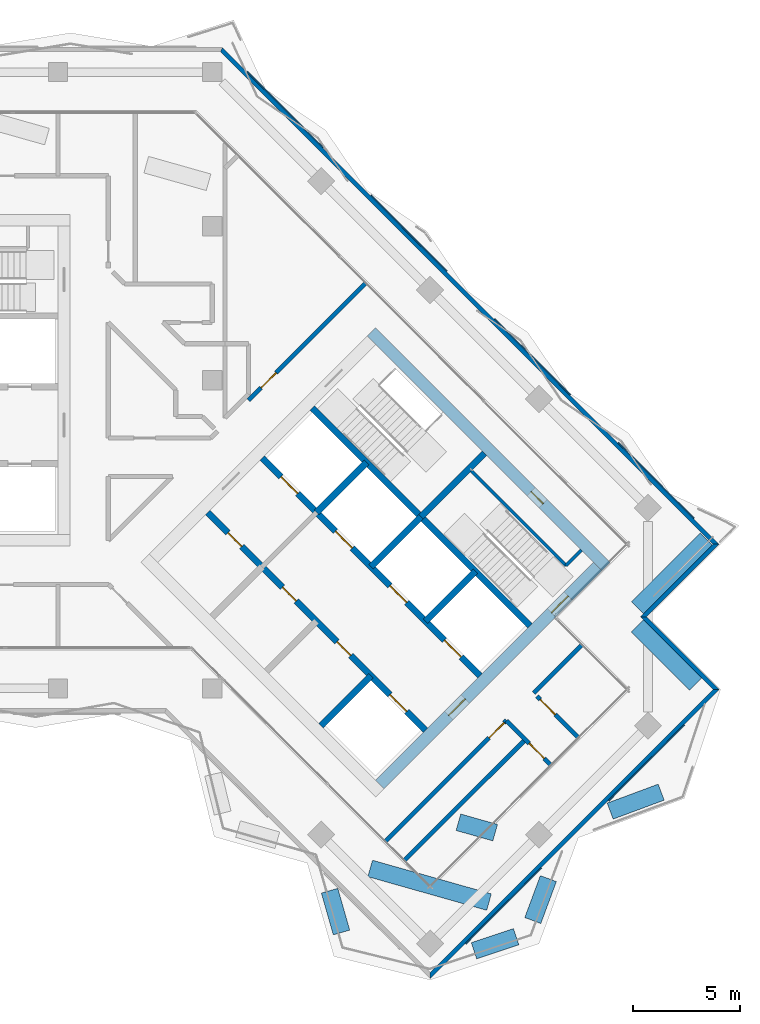
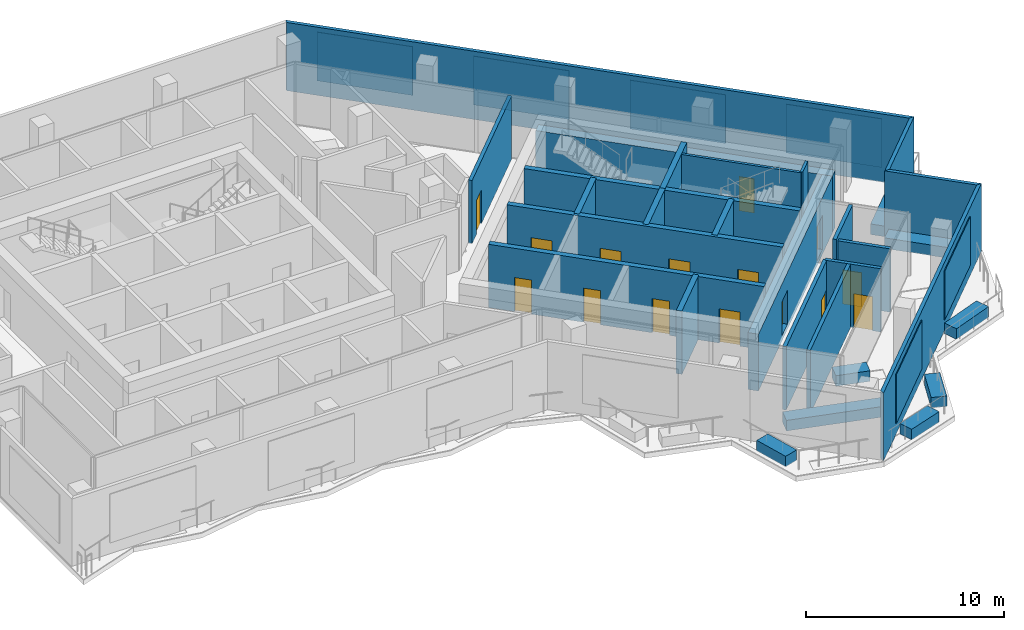
# One storey, part 12 of 19: 31 walls, 15 doors, 6 plates, 15 openings.
"""IFC4 building model written with IfcOpenShell, lengths in metres."""

from ifc_helpers import new_model, si_unit, direction, frame, frame_2d, origin, place, context, subcontext, project, spatial, polyline, rectangle, outline, extrude, material, layer, layer_set, type_object, element, fill, aggregate, save


model = new_model("IFC4")

# Units and contexts
model_context = context("Model", 3, precision=1e-05, world=origin(), true_north=direction((0.0, 1.0)))
body_context = subcontext(model_context, "Body", "Model", "MODEL_VIEW")
ifc_project = project(units=[si_unit("LENGTHUNIT", "METRE"), si_unit("AREAUNIT", "SQUARE_METRE"), si_unit("VOLUMEUNIT", "CUBIC_METRE"), si_unit("PLANEANGLEUNIT", "RADIAN"), si_unit("MASSUNIT", "GRAM", prefix="KILO")], contexts=[model_context])

# Plate
ifc_material_1 = material(Name="Aluminium louvre", Category="aluminium")
ifc_layer_1 = layer(ifc_material_1, 0.05)
ifc_layer_set_1 = layer_set([ifc_layer_1], Name="Belt louvre panel 5000x3000")
plate_type = type_object("IfcPlateType", Name="Belt louvre panel 5000x3000", PredefinedType="SHEET", material=ifc_layer_set_1)
site_placement = place(None, origin())
building_placement = place(site_placement, origin())
storey_placement = place(building_placement, frame((0.0, 0.0, 176.2)))
plate_1_placement = place(storey_placement, frame((101.7315, 51.1655, 0.75), z_axis=(0.7071167811, 0.7070967812, 0.0), x_axis=(-0.7070967812, 0.7071167811, 0.0)))
plate_1 = element("IfcPlate", 1, at=plate_1_placement, type_object=plate_type, Name="Belt louvre panel L48 5.1", PredefinedType="SHEET", context=body_context, shape_type="SweptSolid", body=[
    extrude(outline(polyline([(0.0, 0.0), (5.0, 0.0), (5.0, 3.0), (0.0, 3.0), (0.0, 0.0)])), origin(), (0.0, 0.0, -1.0), 0.05),
])

plate_2_placement = place(storey_placement, frame((95.9536, 56.9434, 0.75), z_axis=(0.7071167811, 0.7070967812, 0.0), x_axis=(-0.7070967812, 0.7071167811, 0.0)))
plate_2 = element("IfcPlate", 2, at=plate_2_placement, type_object=plate_type, Name="Belt louvre panel L48 6.2", PredefinedType="SHEET", context=body_context, shape_type="SweptSolid", body=[
    extrude(outline(polyline([(0.0, 0.0), (5.0, 0.0), (5.0, 3.0), (0.0, 3.0), (0.0, 0.0)])), origin(), (0.0, 0.0, -1.0), 0.05),
])

plate_3_placement = place(storey_placement, frame((90.1756, 62.7214, 0.75), z_axis=(0.7071067812, 0.7071067812, 0.0), x_axis=(-0.7071067812, 0.7071067812, 0.0)))
plate_3 = element("IfcPlate", 3, at=plate_3_placement, type_object=plate_type, Name="Belt louvre panel L48 7.3", PredefinedType="SHEET", context=body_context, shape_type="SweptSolid", body=[
    extrude(outline(polyline([(0.0, 0.0), (5.0, 0.0), (5.0, 3.0), (0.0, 3.0), (0.0, 0.0)])), origin(), (0.0, 0.0, -1.0), 0.05),
])

plate_4_placement = place(storey_placement, frame((84.3977, 68.4993, 0.75), z_axis=(0.7071167811, 0.7070967812, 0.0), x_axis=(-0.7070967812, 0.7071167811, 0.0)))
plate_4 = element("IfcPlate", 4, at=plate_4_placement, type_object=plate_type, Name="Belt louvre panel L48 8.4", PredefinedType="SHEET", context=body_context, shape_type="SweptSolid", body=[
    extrude(outline(polyline([(0.0, 0.0), (5.0, 0.0), (5.0, 3.0), (0.0, 3.0), (0.0, 0.0)])), origin(), (0.0, 0.0, -1.0), 0.05),
])

plate_5_placement = place(storey_placement, frame((91.0617, 31.253, 0.75), z_axis=(0.7070967812, -0.7071167811, 0.0), x_axis=(0.7071167811, 0.7070967812, 0.0)))
plate_5 = element("IfcPlate", 5, at=plate_5_placement, type_object=plate_type, Name="Belt louvre panel L48 75.1", PredefinedType="SHEET", context=body_context, shape_type="SweptSolid", body=[
    extrude(outline(polyline([(0.0, 0.0), (5.0, 0.0), (5.0, 3.0), (0.0, 3.0), (0.0, 0.0)])), origin(), (0.0, 0.0, -1.0), 0.05),
])

plate_6_placement = place(storey_placement, frame((97.7439, 37.9351, 0.75), z_axis=(0.7071167811, -0.7070967812, 0.0), x_axis=(0.7070967812, 0.7071167811, 0.0)))
plate_6 = element("IfcPlate", 6, at=plate_6_placement, type_object=plate_type, Name="Belt louvre panel L48 76.2", PredefinedType="SHEET", context=body_context, shape_type="SweptSolid", body=[
    extrude(outline(polyline([(0.0, 0.0), (5.0, 0.0), (5.0, 3.0), (0.0, 3.0), (0.0, 0.0)])), origin(), (0.0, 0.0, -1.0), 0.05),
])

# Site, building, storey
site = spatial("IfcSite", under=ifc_project, at=site_placement, CompositionType="ELEMENT")
building = spatial("IfcBuilding", under=site, at=building_placement, Name="Windrow Commons", CompositionType="ELEMENT")
storey = spatial("IfcBuildingStorey", under=building, at=storey_placement, Name="L48", CompositionType="ELEMENT", Elevation=176.2)

# Walls
ifc_material_2 = material(Name="Concrete C40/50 precast screen panel", Category="concrete")
ifc_layer_2 = layer(ifc_material_2, 0.2)
ifc_layer_set_2 = layer_set([ifc_layer_2], Name="Belt screen wall 200")
wall_type_1 = type_object("IfcWallType", Name="Belt screen wall 200", PredefinedType="SOLIDWALL", material=ifc_layer_set_2)
wall_1_placement = place(storey_placement, frame((102.7467, 43.15, 0.0), z_axis=(0.0, 0.0, 1.0), x_axis=(-0.7071067812, 0.7071067812, 0.0)))
element("IfcWall", 7, at=wall_1_placement, inside=storey, type_object=wall_type_1, Name="Belt screen wall L48 1", PredefinedType="SOLIDWALL", context=body_context, shape_type="SweptSolid", body=[
    extrude(outline(polyline([(-0.1, -0.1), (4.7, -0.1), (4.9, 0.1), (0.1, 0.1), (-0.1, -0.1)])), origin(), (0.0, 0.0, 1.0), 4.2),
])
wall_2_placement = place(storey_placement, frame((99.3525, 46.5442, 0.0), z_axis=(0.0, 0.0, 1.0), x_axis=(0.7071171977, 0.7070963646, 0.0)))
element("IfcWall", 8, at=wall_2_placement, inside=storey, type_object=wall_type_1, Name="Belt screen wall L48 3", PredefinedType="SOLIDWALL", context=body_context, shape_type="SweptSolid", body=[
    extrude(outline(polyline([(0.1, -0.1), (4.9, -0.1), (4.7, 0.1), (-0.1, 0.1), (0.1, -0.1)])), origin(), (0.0, 0.0, 1.0), 4.2),
])

# Wall
wall_3_placement = place(storey_placement, frame((102.7467, 49.9383, 0.0), z_axis=(0.0, 0.0, 1.0), x_axis=(-0.7071083109, 0.7071052514, 0.0)))
wall_3 = element("IfcWall", 9, at=wall_3_placement, inside=storey, type_object=wall_type_1, Name="Belt screen wall L48 5", PredefinedType="SOLIDWALL", context=body_context, shape_type="SweptSolid", body=[
    extrude(outline(polyline([(-0.1, -0.1), (32.7263, -0.1), (32.6435, 0.1), (0.1, 0.1), (-0.1, -0.1)])), origin(), (0.0, 0.0, 1.0), 4.2),
])

aggregate(wall_3, [plate_1, plate_2, plate_3, plate_4])

wall_4_placement = place(storey_placement, frame((89.3823, 29.7857, 0.0), z_axis=(0.0, 0.0, 1.0), x_axis=(0.7071094267, 0.7071041357, 0.0)))
wall_4 = element("IfcWall", 10, at=wall_4_placement, inside=storey, type_object=wall_type_1, Name="Belt screen wall L48 75", PredefinedType="SOLIDWALL", context=body_context, shape_type="SweptSolid", body=[
    extrude(outline(polyline([(-0.1, -0.1), (19.0, -0.1), (18.8, 0.1), (0.1, 0.1), (-0.1, -0.1)])), origin(), (0.0, 0.0, 1.0), 4.2),
])

aggregate(wall_4, [plate_5, plate_6])

# Wall, opening, door
ifc_material_3 = material(Name="Blockwork partition", Category="masonry")
ifc_layer_3 = layer(ifc_material_3, 0.2)
ifc_layer_set_3 = layer_set([ifc_layer_3], Name="IW-CORRIDOR-200")
wall_type_2 = type_object("IfcWallType", Name="IW-CORRIDOR-200", PredefinedType="PARTITIONING", material=ifc_layer_set_3)
wall_5_placement = place(storey_placement, frame((87.3165, 36.0655, 0.0), z_axis=(0.0, 0.0, 1.0), x_axis=(0.7071067812, 0.7071067812, 0.0)))
wall_5 = element("IfcWall", 11, at=wall_5_placement, inside=storey, type_object=wall_type_2, Name="W-L48-W005", PredefinedType="PARTITIONING", context=body_context, shape_type="SweptSolid", body=[
    extrude(rectangle(XDim=7.9705, YDim=0.2, at=frame_2d((3.9853, 0.0))), origin(), (0.0, 0.0, 1.0), 3.9),
])
opening_1_placement = place(wall_5_placement, frame((6.8177, 0.0, 0.0)))
opening_1 = element("IfcOpeningElement", 12, at=opening_1_placement, cuts=wall_5, Name="Opening D310F", PredefinedType="OPENING", context=body_context, shape_type="SweptSolid", body=[
    extrude(rectangle(XDim=1.0, YDim=2.1, at=frame_2d((0.5, 1.05))), frame((0.0, 0.11, 0.0), z_axis=(0.0, -1.0, 0.0), x_axis=(1.0, 0.0, 0.0)), (0.0, 0.0, 1.0), 0.22),
])
ifc_material_4 = material(Name="Timber door leaf", Category="wood")
door_type_1 = type_object("IfcDoorType", Name="DT-AMENITY-1000", OperationType="SINGLE_SWING_LEFT", PredefinedType="DOOR", material=ifc_material_4)
door_1_placement = place(opening_1_placement, origin())
door_1 = element("IfcDoor", 13, at=door_1_placement, inside=storey, type_object=door_type_1, Name="D-L48-D024", OperationType="SINGLE_SWING_LEFT", OverallHeight=2.1, OverallWidth=1.0, PredefinedType="DOOR", context=body_context, shape_type="SweptSolid", body=[
    extrude(rectangle(XDim=1.0, YDim=2.1, at=frame_2d((0.5, 1.05))), frame((0.0, 0.025, 0.0), z_axis=(0.0, -1.0, 0.0), x_axis=(1.0, 0.0, 0.0)), (0.0, 0.0, 1.0), 0.05),
])
fill(opening_1, door_1)

wall_6_placement = place(storey_placement, frame((80.9023, 56.6597, 0.0), z_axis=(0.0, 0.0, 1.0), x_axis=(0.7069771439, 0.7072363947, 0.0)))
wall_6 = element("IfcWall", 14, at=wall_6_placement, inside=storey, type_object=wall_type_2, Name="W-L48-W011", PredefinedType="PARTITIONING", context=body_context, shape_type="SweptSolid", body=[
    extrude(rectangle(XDim=7.7145, YDim=0.2, at=frame_2d((3.8573, 0.0))), origin(), (0.0, 0.0, 1.0), 3.9),
])
opening_2_placement = place(wall_6_placement, frame((0.825, 0.0, 0.0)))
opening_2 = element("IfcOpeningElement", 15, at=opening_2_placement, cuts=wall_6, Name="Opening D310F", PredefinedType="OPENING", context=body_context, shape_type="SweptSolid", body=[
    extrude(rectangle(XDim=1.0, YDim=2.1, at=frame_2d((0.5, 1.05))), frame((0.0, 0.11, 0.0), z_axis=(0.0, -1.0, 0.0), x_axis=(1.0, 0.0, 0.0)), (0.0, 0.0, 1.0), 0.22),
])
door_2_placement = place(opening_2_placement, origin())
door_2 = element("IfcDoor", 16, at=door_2_placement, inside=storey, type_object=door_type_1, Name="D-L48-D022", OperationType="SINGLE_SWING_RIGHT", OverallHeight=2.1, OverallWidth=1.0, PredefinedType="DOOR", context=body_context, shape_type="SweptSolid", body=[
    extrude(rectangle(XDim=1.0, YDim=2.1, at=frame_2d((0.5, 1.05))), frame((0.0, 0.025, 0.0), z_axis=(0.0, -1.0, 0.0), x_axis=(1.0, 0.0, 0.0)), (0.0, 0.0, 1.0), 0.05),
])
fill(opening_2, door_2)

# Wall
wall_7_placement = place(storey_placement, frame((94.2255, 42.9745, 0.0), z_axis=(0.0, 0.0, 1.0), x_axis=(0.7071067812, 0.7071067812, 0.0)))
element("IfcWall", 17, at=wall_7_placement, inside=storey, type_object=wall_type_2, Name="W-L48-W029", PredefinedType="PARTITIONING", context=body_context, shape_type="SweptSolid", body=[
    extrude(rectangle(XDim=3.1707, YDim=0.2, at=frame_2d((1.5854, 0.0))), origin(), (0.0, 0.0, 1.0), 3.9),
])

# Wall, opening, door
wall_8_placement = place(storey_placement, frame((92.9506, 41.6966, 0.0), z_axis=(0.0, 0.0, 1.0), x_axis=(0.7071067812, -0.7071067812, 0.0)))
wall_8 = element("IfcWall", 18, at=wall_8_placement, inside=storey, type_object=wall_type_2, Name="W-L48-W042", PredefinedType="PARTITIONING", context=body_context, shape_type="SweptSolid", body=[
    extrude(rectangle(XDim=2.9189, YDim=0.2, at=frame_2d((1.4594, 0.0))), origin(), (0.0, 0.0, 1.0), 3.9),
])
opening_3_placement = place(wall_8_placement, frame((1.5033, 0.0, 0.0)))
opening_3 = element("IfcOpeningElement", 19, at=opening_3_placement, cuts=wall_8, Name="Opening D310F", PredefinedType="OPENING", context=body_context, shape_type="SweptSolid", body=[
    extrude(rectangle(XDim=1.0, YDim=2.1, at=frame_2d((0.5, 1.05))), frame((0.0, 0.11, 0.0), z_axis=(0.0, -1.0, 0.0), x_axis=(1.0, 0.0, 0.0)), (0.0, 0.0, 1.0), 0.22),
])
door_3_placement = place(opening_3_placement, origin())
door_3 = element("IfcDoor", 20, at=door_3_placement, inside=storey, type_object=door_type_1, Name="D-L48-D025", OperationType="SINGLE_SWING_LEFT", OverallHeight=2.1, OverallWidth=1.0, PredefinedType="DOOR", context=body_context, shape_type="SweptSolid", body=[
    extrude(rectangle(XDim=1.0, YDim=2.1, at=frame_2d((0.5, 1.05))), frame((0.0, 0.025, 0.0), z_axis=(0.0, -1.0, 0.0), x_axis=(1.0, 0.0, 0.0)), (0.0, 0.0, 1.0), 0.05),
])
fill(opening_3, door_3)

wall_9_placement = place(storey_placement, frame((94.3715, 42.8355, 0.0), z_axis=(0.0, 0.0, 1.0), x_axis=(0.7071067812, -0.7071067812, 0.0)))
wall_9 = element("IfcWall", 21, at=wall_9_placement, inside=storey, type_object=wall_type_2, Name="W-L48-W044", PredefinedType="PARTITIONING", context=body_context, shape_type="SweptSolid", body=[
    extrude(rectangle(XDim=2.7209, YDim=0.2, at=frame_2d((1.3604, 0.0))), origin(), (0.0, 0.0, 1.0), 3.9),
])
opening_4_placement = place(wall_9_placement, frame((0.2177, 0.0, 0.0)))
opening_4 = element("IfcOpeningElement", 22, at=opening_4_placement, cuts=wall_9, Name="Opening D310F", PredefinedType="OPENING", context=body_context, shape_type="SweptSolid", body=[
    extrude(rectangle(XDim=1.0, YDim=2.1, at=frame_2d((0.5, 1.05))), frame((0.0, 0.11, 0.0), z_axis=(0.0, -1.0, 0.0), x_axis=(1.0, 0.0, 0.0)), (0.0, 0.0, 1.0), 0.22),
])
door_4_placement = place(opening_4_placement, origin())
door_4 = element("IfcDoor", 23, at=door_4_placement, inside=storey, type_object=door_type_1, Name="D-L48-D023", OperationType="SINGLE_SWING_RIGHT", OverallHeight=2.1, OverallWidth=1.0, PredefinedType="DOOR", context=body_context, shape_type="SweptSolid", body=[
    extrude(rectangle(XDim=1.0, YDim=2.1, at=frame_2d((0.5, 1.05))), frame((0.0, 0.025, 0.0), z_axis=(0.0, -1.0, 0.0), x_axis=(1.0, 0.0, 0.0)), (0.0, 0.0, 1.0), 0.05),
])
fill(opening_4, door_4)

# Walls
ifc_material_5 = material(Name="Blockwork partition", Category="masonry")
ifc_layer_4 = layer(ifc_material_5, 0.2)
ifc_layer_set_4 = layer_set([ifc_layer_4], Name="IW-PARTY-200")
wall_type_3 = type_object("IfcWallType", Name="IW-PARTY-200", PredefinedType="PARTITIONING", material=ifc_layer_set_4)
wall_10_placement = place(storey_placement, frame((88.2053, 35.1787, 0.0), z_axis=(0.0, 0.0, 1.0), x_axis=(0.7072322548, 0.7069812853, 0.0)))
element("IfcWall", 24, at=wall_10_placement, inside=storey, type_object=wall_type_3, Name="W-L48-W010", PredefinedType="PARTITIONING", context=body_context, shape_type="SweptSolid", body=[
    extrude(rectangle(XDim=7.9691, YDim=0.2, at=frame_2d((3.9846, 0.0))), origin(), (0.0, 0.0, 1.0), 3.9),
])
ifc_material_6 = material(Name="Concrete C30/37 planter wall", Category="concrete")
ifc_layer_5 = layer(ifc_material_6, 0.8)
ifc_layer_set_5 = layer_set([ifc_layer_5], Name="Planter 800x600")
wall_type_4 = type_object("IfcWallType", Name="Planter 800x600", PredefinedType="SOLIDWALL", material=ifc_layer_set_5)
wall_11_placement = place(storey_placement, frame((84.6862, 33.7465, 0.0), z_axis=(0.0, 0.0, 1.0), x_axis=(0.2744349963, -0.9616056535, 0.0)))
element("IfcWall", 25, at=wall_11_placement, inside=storey, type_object=wall_type_4, Name="PLANTER TR-L48-1.4", PredefinedType="SOLIDWALL", context=body_context, shape_type="SweptSolid", body=[
    extrude(rectangle(XDim=2.0311, YDim=0.8, at=frame_2d((1.0155, 0.0))), origin(), (0.0, 0.0, 1.0), 0.65),
])
wall_12_placement = place(storey_placement, frame((91.4323, 30.9421, 0.0), z_axis=(0.0, 0.0, 1.0), x_axis=(0.9486881109, 0.316213327, 0.0)))
element("IfcWall", 26, at=wall_12_placement, inside=storey, type_object=wall_type_4, Name="PLANTER TR-L48-1.6", PredefinedType="SOLIDWALL", context=body_context, shape_type="SweptSolid", body=[
    extrude(rectangle(XDim=2.0777, YDim=0.8, at=frame_2d((1.0389, 0.0))), origin(), (0.0, 0.0, 1.0), 0.65),
])
wall_13_placement = place(storey_placement, frame((94.1815, 32.3513, 0.0), z_axis=(0.0, 0.0, 1.0), x_axis=(0.3481925323, 0.9374230424, 0.0)))
element("IfcWall", 27, at=wall_13_placement, inside=storey, type_object=wall_type_4, Name="PLANTER TR-L48-1.7", PredefinedType="SOLIDWALL", context=body_context, shape_type="SweptSolid", body=[
    extrude(rectangle(XDim=2.0914, YDim=0.8, at=frame_2d((1.0457, 0.0))), origin(), (0.0, 0.0, 1.0), 0.65),
])
wall_14_placement = place(storey_placement, frame((97.7975, 37.4655, 0.0), z_axis=(0.0, 0.0, 1.0), x_axis=(0.937425272, 0.3481865296, 0.0)))
element("IfcWall", 28, at=wall_14_placement, inside=storey, type_object=wall_type_4, Name="PLANTER TR-L48-1.8", PredefinedType="SOLIDWALL", context=body_context, shape_type="SweptSolid", body=[
    extrude(rectangle(XDim=2.5426, YDim=0.8, at=frame_2d((1.2713, 0.0))), origin(), (0.0, 0.0, 1.0), 0.65),
])
wall_15_placement = place(storey_placement, frame((101.7908, 43.3987, 0.0), z_axis=(0.0, 0.0, 1.0), x_axis=(-0.7070807946, 0.7071327668, 0.0)))
element("IfcWall", 29, at=wall_15_placement, inside=storey, type_object=wall_type_4, Name="PLANTER TR-L48-1.9", PredefinedType="SOLIDWALL", context=body_context, shape_type="SweptSolid", body=[
    extrude(rectangle(XDim=3.8482, YDim=0.8, at=frame_2d((1.9241, 0.0))), origin(), (0.0, 0.0, 1.0), 0.65),
])
wall_16_placement = place(storey_placement, frame((99.0698, 46.9685, 0.0), z_axis=(0.0, 0.0, 1.0), x_axis=(0.7071067812, 0.7071067812, 0.0)))
element("IfcWall", 30, at=wall_16_placement, inside=storey, type_object=wall_type_4, Name="PLANTER TR-L48-1.10", PredefinedType="SOLIDWALL", context=body_context, shape_type="SweptSolid", body=[
    extrude(rectangle(XDim=4.5478, YDim=0.8, at=frame_2d((2.2739, 0.0))), origin(), (0.0, 0.0, 1.0), 0.65),
])
wall_17_placement = place(storey_placement, frame((92.4235, 36.4584, 0.0), z_axis=(0.0, 0.0, 1.0), x_axis=(-0.9622628321, 0.272121741, 0.0)))
element("IfcWall", 31, at=wall_17_placement, inside=storey, type_object=wall_type_4, Name="PLANTER TR-L48-1 bed 14", PredefinedType="SOLIDWALL", context=body_context, shape_type="SweptSolid", body=[
    extrude(rectangle(XDim=1.7841, YDim=0.8, at=frame_2d((0.8921, 0.0))), origin(), (0.0, 0.0, 1.0), 0.65),
])
wall_18_placement = place(storey_placement, frame((92.1364, 33.2141, 0.0), z_axis=(0.0, 0.0, 1.0), x_axis=(-0.9622617834, 0.2721254495, 0.0)))
element("IfcWall", 32, at=wall_18_placement, inside=storey, type_object=wall_type_4, Name="PLANTER TR-L48-1 bed 16", PredefinedType="SOLIDWALL", context=body_context, shape_type="SweptSolid", body=[
    extrude(rectangle(XDim=5.7723, YDim=0.8, at=frame_2d((2.8862, 0.0))), origin(), (0.0, 0.0, 1.0), 0.65),
])

# Wall, opening, door
ifc_material_7 = material(Name="Concrete C50/60", Category="concrete")
ifc_layer_6 = layer(ifc_material_7, 0.55)
ifc_layer_set_6 = layer_set([ifc_layer_6], Name="RC CORE WALL 550 C50/60")
wall_type_5 = type_object("IfcWallType", Name="RC CORE WALL 550 C50/60", PredefinedType="SHEAR", material=ifc_layer_set_6)
wall_19_placement = place(storey_placement, frame((86.6423, 59.8554, -0.3), z_axis=(0.0, 0.0, 1.0), x_axis=(0.707110007, -0.7071035554, 0.0)))
wall_19 = element("IfcWall", 33, at=wall_19_placement, inside=storey, type_object=wall_type_5, Name="Core B wall outer-N", PredefinedType="SHEAR", context=body_context, shape_type="SweptSolid", body=[
    extrude(rectangle(XDim=15.5, YDim=0.55, at=frame_2d((7.75, 0.0))), origin(), (0.0, 0.0, 1.0), 3.5),
])
opening_5_placement = place(wall_19_placement, frame((10.55, 0.0, 0.3)))
opening_5 = element("IfcOpeningElement", 34, at=opening_5_placement, cuts=wall_19, Name="Opening D9", PredefinedType="OPENING", context=body_context, shape_type="SweptSolid", body=[
    extrude(rectangle(XDim=0.8, YDim=2.1, at=frame_2d((0.4, 1.05))), frame((0.0, 0.285, 0.0), z_axis=(0.0, -1.0, 0.0), x_axis=(1.0, 0.0, 0.0)), (0.0, 0.0, 1.0), 0.57),
])
ifc_material_8 = material(Name="Steel fire door leaf", Category="steel")
door_type_2 = type_object("IfcDoorType", Name="Riser access door 800", OperationType="SINGLE_SWING_LEFT", PredefinedType="DOOR", material=ifc_material_8)
door_5_placement = place(opening_5_placement, origin())
door_5 = element("IfcDoor", 35, at=door_5_placement, inside=storey, type_object=door_type_2, Name="Riser access door", OperationType="SINGLE_SWING_RIGHT", OverallHeight=2.1, OverallWidth=0.8, PredefinedType="DOOR", context=body_context, shape_type="SweptSolid", body=[
    extrude(rectangle(XDim=0.8, YDim=2.1, at=frame_2d((0.4, 1.05))), frame((0.0, 0.025, 0.0), z_axis=(0.0, -1.0, 0.0), x_axis=(1.0, 0.0, 0.0)), (0.0, 0.0, 1.0), 0.05),
])
fill(opening_5, door_5)

# Wall, openings, doors
wall_20_placement = place(storey_placement, frame((87.0312, 38.7129, -0.3), z_axis=(0.0, 0.0, 1.0), x_axis=(0.707103309, 0.7071102534, 0.0)))
wall_20 = element("IfcWall", 36, at=wall_20_placement, inside=storey, type_object=wall_type_5, Name="Core B wall outer-E", PredefinedType="SHEAR", context=body_context, shape_type="SweptSolid", body=[
    extrude(rectangle(XDim=14.4, YDim=0.55, at=frame_2d((7.2, 0.0))), origin(), (0.0, 0.0, 1.0), 3.5),
])
opening_6_placement = place(wall_20_placement, frame((4.55, 0.0, 0.3)))
opening_6 = element("IfcOpeningElement", 37, at=opening_6_placement, cuts=wall_20, Name="Opening D6", PredefinedType="OPENING", context=body_context, shape_type="SweptSolid", body=[
    extrude(rectangle(XDim=1.1, YDim=2.1, at=frame_2d((0.55, 1.05))), frame((0.0, 0.285, 0.0), z_axis=(0.0, -1.0, 0.0), x_axis=(1.0, 0.0, 0.0)), (0.0, 0.0, 1.0), 0.57),
])
opening_7_placement = place(wall_20_placement, frame((11.35, 0.0, 0.3)))
opening_7 = element("IfcOpeningElement", 38, at=opening_7_placement, cuts=wall_20, Name="Opening D7", PredefinedType="OPENING", context=body_context, shape_type="SweptSolid", body=[
    extrude(rectangle(XDim=1.1, YDim=2.1, at=frame_2d((0.55, 1.05))), frame((0.0, 0.285, 0.0), z_axis=(0.0, -1.0, 0.0), x_axis=(1.0, 0.0, 0.0)), (0.0, 0.0, 1.0), 0.57),
])
ifc_material_9 = material(Name="Steel fire door leaf", Category="steel")
door_type_3 = type_object("IfcDoorType", Name="Core lobby door 1100", OperationType="SINGLE_SWING_LEFT", PredefinedType="DOOR", material=ifc_material_9)
door_6_placement = place(opening_6_placement, origin())
door_6 = element("IfcDoor", 39, at=door_6_placement, inside=storey, type_object=door_type_3, Name="Lift lobby door", OperationType="DOUBLE_DOOR_SINGLE_SWING", OverallHeight=2.1, OverallWidth=1.1, PredefinedType="DOOR", context=body_context, shape_type="SweptSolid", body=[
    extrude(rectangle(XDim=1.1, YDim=2.1, at=frame_2d((0.55, 1.05))), frame((0.0, 0.025, 0.0), z_axis=(0.0, -1.0, 0.0), x_axis=(1.0, 0.0, 0.0)), (0.0, 0.0, 1.0), 0.05),
])
fill(opening_6, door_6)
ifc_material_10 = material(Name="Steel fire door leaf", Category="steel")
door_type_4 = type_object("IfcDoorType", Name="Stair door 1100", OperationType="SINGLE_SWING_LEFT", PredefinedType="DOOR", material=ifc_material_10)
door_7_placement = place(opening_7_placement, origin())
door_7 = element("IfcDoor", 40, at=door_7_placement, inside=storey, type_object=door_type_4, Name="Stair door", OperationType="SINGLE_SWING_RIGHT", OverallHeight=2.1, OverallWidth=1.1, PredefinedType="DOOR", context=body_context, shape_type="SweptSolid", body=[
    extrude(rectangle(XDim=1.1, YDim=2.1, at=frame_2d((0.55, 1.05))), frame((0.0, 0.025, 0.0), z_axis=(0.0, -1.0, 0.0), x_axis=(1.0, 0.0, 0.0)), (0.0, 0.0, 1.0), 0.05),
])
fill(opening_7, door_7)

# Walls
ifc_material_11 = material(Name="Concrete C50/60", Category="concrete")
ifc_layer_7 = layer(ifc_material_11, 0.3)
ifc_layer_set_7 = layer_set([ifc_layer_7], Name="RC SHAFT WALL 300 C50/60")
wall_type_6 = type_object("IfcWallType", Name="RC SHAFT WALL 300 C50/60", PredefinedType="SOLIDWALL", material=ifc_layer_set_7)
wall_21_placement = place(storey_placement, frame((84.079, 51.4232, 0.0), z_axis=(0.0, 0.0, 1.0), x_axis=(0.7071219326, 0.7070916295, 0.0)))
element("IfcWall", 41, at=wall_21_placement, inside=storey, type_object=wall_type_6, Name="Core B wall shaft-N1", PredefinedType="SOLIDWALL", context=body_context, shape_type="SweptSolid", body=[
    extrude(rectangle(XDim=3.3, YDim=0.3, at=frame_2d((1.65, 0.0))), origin(), (0.0, 0.0, 1.0), 3.9),
])
wall_22_placement = place(storey_placement, frame((86.6246, 48.8776, 0.0), z_axis=(0.0, 0.0, 1.0), x_axis=(0.7071067812, 0.7071067812, 0.0)))
element("IfcWall", 42, at=wall_22_placement, inside=storey, type_object=wall_type_6, Name="Core B wall shaft-N2", PredefinedType="SOLIDWALL", context=body_context, shape_type="SweptSolid", body=[
    extrude(rectangle(XDim=3.3001, YDim=0.3, at=frame_2d((1.6501, 0.0))), origin(), (0.0, 0.0, 1.0), 3.9),
])
wall_23_placement = place(storey_placement, frame((84.2912, 41.453, 0.0), z_axis=(0.0, 0.0, 1.0), x_axis=(0.7071067812, 0.7071067812, 0.0)))
element("IfcWall", 43, at=wall_23_placement, inside=storey, type_object=wall_type_6, Name="Core B wall shaft-S3", PredefinedType="SOLIDWALL", context=body_context, shape_type="SweptSolid", body=[
    extrude(rectangle(XDim=3.2999, YDim=0.3, at=frame_2d((1.65, 0.0))), origin(), (0.0, 0.0, 1.0), 3.9),
])
wall_24_placement = place(storey_placement, frame((89.1702, 46.332, 0.0), z_axis=(0.0, 0.0, 1.0), x_axis=(0.7071067812, 0.7071067812, 0.0)))
element("IfcWall", 44, at=wall_24_placement, inside=storey, type_object=wall_type_6, Name="Core B wall shaft-N3", PredefinedType="SOLIDWALL", context=body_context, shape_type="SweptSolid", body=[
    extrude(rectangle(XDim=3.3001, YDim=0.3, at=frame_2d((1.6501, 0.0))), origin(), (0.0, 0.0, 1.0), 3.9),
])

# Wall, openings, doors
wall_25_placement = place(storey_placement, frame((78.9879, 51.4232, 0.0), z_axis=(0.0, 0.0, 1.0), x_axis=(0.7071067812, -0.7071067812, 0.0)))
wall_25 = element("IfcWall", 45, at=wall_25_placement, inside=storey, type_object=wall_type_6, Name="Core B wall lobby-S", PredefinedType="SOLIDWALL", context=body_context, shape_type="SweptSolid", body=[
    extrude(rectangle(XDim=14.3999, YDim=0.3, at=frame_2d((7.2, 0.0))), origin(), (0.0, 0.0, 1.0), 3.9),
])
opening_8_placement = place(wall_25_placement, frame((1.35, 0.0, 0.0)))
opening_8 = element("IfcOpeningElement", 46, at=opening_8_placement, cuts=wall_25, Name="Opening D8", PredefinedType="OPENING", context=body_context, shape_type="SweptSolid", body=[
    extrude(rectangle(XDim=0.9, YDim=2.1, at=frame_2d((0.45, 1.05))), frame((0.0, 0.16, 0.0), z_axis=(0.0, -1.0, 0.0), x_axis=(1.0, 0.0, 0.0)), (0.0, 0.0, 1.0), 0.32),
])
opening_9_placement = place(wall_25_placement, frame((4.95, 0.0, 0.0)))
opening_9 = element("IfcOpeningElement", 47, at=opening_9_placement, cuts=wall_25, Name="Opening D8", PredefinedType="OPENING", context=body_context, shape_type="SweptSolid", body=[
    extrude(rectangle(XDim=0.9, YDim=2.1, at=frame_2d((0.45, 1.05))), frame((0.0, 0.16, 0.0), z_axis=(0.0, -1.0, 0.0), x_axis=(1.0, 0.0, 0.0)), (0.0, 0.0, 1.0), 0.32),
])
opening_10_placement = place(wall_25_placement, frame((8.55, 0.0, 0.0)))
opening_10 = element("IfcOpeningElement", 48, at=opening_10_placement, cuts=wall_25, Name="Opening D8", PredefinedType="OPENING", context=body_context, shape_type="SweptSolid", body=[
    extrude(rectangle(XDim=0.9, YDim=2.1, at=frame_2d((0.45, 1.05))), frame((0.0, 0.16, 0.0), z_axis=(0.0, -1.0, 0.0), x_axis=(1.0, 0.0, 0.0)), (0.0, 0.0, 1.0), 0.32),
])
opening_11_placement = place(wall_25_placement, frame((12.05, 0.0, 0.0)))
opening_11 = element("IfcOpeningElement", 49, at=opening_11_placement, cuts=wall_25, Name="Opening LD", PredefinedType="OPENING", context=body_context, shape_type="SweptSolid", body=[
    extrude(rectangle(XDim=1.1, YDim=2.1, at=frame_2d((0.55, 1.05))), frame((0.0, 0.16, 0.0), z_axis=(0.0, -1.0, 0.0), x_axis=(1.0, 0.0, 0.0)), (0.0, 0.0, 1.0), 0.32),
])
ifc_material_12 = material(Name="Steel fire door leaf", Category="steel")
door_type_5 = type_object("IfcDoorType", Name="Core store door 900", OperationType="SINGLE_SWING_LEFT", PredefinedType="DOOR", material=ifc_material_12)
door_8_placement = place(opening_8_placement, origin())
door_8 = element("IfcDoor", 50, at=door_8_placement, inside=storey, type_object=door_type_5, Name="Store door", OperationType="SINGLE_SWING_LEFT", OverallHeight=2.1, OverallWidth=0.9, PredefinedType="DOOR", context=body_context, shape_type="SweptSolid", body=[
    extrude(rectangle(XDim=0.9, YDim=2.1, at=frame_2d((0.45, 1.05))), frame((0.0, 0.025, 0.0), z_axis=(0.0, -1.0, 0.0), x_axis=(1.0, 0.0, 0.0)), (0.0, 0.0, 1.0), 0.05),
])
fill(opening_8, door_8)
door_9_placement = place(opening_9_placement, origin())
door_9 = element("IfcDoor", 51, at=door_9_placement, inside=storey, type_object=door_type_5, Name="Store door", OperationType="SINGLE_SWING_LEFT", OverallHeight=2.1, OverallWidth=0.9, PredefinedType="DOOR", context=body_context, shape_type="SweptSolid", body=[
    extrude(rectangle(XDim=0.9, YDim=2.1, at=frame_2d((0.45, 1.05))), frame((0.0, 0.025, 0.0), z_axis=(0.0, -1.0, 0.0), x_axis=(1.0, 0.0, 0.0)), (0.0, 0.0, 1.0), 0.05),
])
fill(opening_9, door_9)
door_10_placement = place(opening_10_placement, origin())
door_10 = element("IfcDoor", 52, at=door_10_placement, inside=storey, type_object=door_type_5, Name="Store door", OperationType="SINGLE_SWING_LEFT", OverallHeight=2.1, OverallWidth=0.9, PredefinedType="DOOR", context=body_context, shape_type="SweptSolid", body=[
    extrude(rectangle(XDim=0.9, YDim=2.1, at=frame_2d((0.45, 1.05))), frame((0.0, 0.025, 0.0), z_axis=(0.0, -1.0, 0.0), x_axis=(1.0, 0.0, 0.0)), (0.0, 0.0, 1.0), 0.05),
])
fill(opening_10, door_10)
ifc_material_13 = material(Name="Stainless steel door leaf", Category="steel")
door_type_6 = type_object("IfcDoorType", Name="Lift landing door 1100", OperationType="SLIDING_TO_LEFT", PredefinedType="DOOR", material=ifc_material_13)
door_11_placement = place(opening_11_placement, origin())
door_11 = element("IfcDoor", 53, at=door_11_placement, inside=storey, type_object=door_type_6, Name="Lift landing door", OperationType="SLIDING_TO_RIGHT", OverallHeight=2.1, OverallWidth=1.1, PredefinedType="DOOR", context=body_context, shape_type="SweptSolid", body=[
    extrude(rectangle(XDim=1.1, YDim=2.1, at=frame_2d((0.55, 1.05))), frame((0.0, 0.025, 0.0), z_axis=(0.0, -1.0, 0.0), x_axis=(1.0, 0.0, 0.0)), (0.0, 0.0, 1.0), 0.05),
])
fill(opening_11, door_11)

wall_26_placement = place(storey_placement, frame((81.5335, 53.9688, 0.0), z_axis=(0.0, 0.0, 1.0), x_axis=(0.707103309, -0.7071102534, 0.0)))
wall_26 = element("IfcWall", 54, at=wall_26_placement, inside=storey, type_object=wall_type_6, Name="Core B wall lobby-N", PredefinedType="SOLIDWALL", context=body_context, shape_type="SweptSolid", body=[
    extrude(rectangle(XDim=14.4, YDim=0.3, at=frame_2d((7.2, 0.0))), origin(), (0.0, 0.0, 1.0), 3.9),
])
opening_12_placement = place(wall_26_placement, frame((1.25, 0.0, 0.0)))
opening_12 = element("IfcOpeningElement", 55, at=opening_12_placement, cuts=wall_26, Name="Opening LD", PredefinedType="OPENING", context=body_context, shape_type="SweptSolid", body=[
    extrude(rectangle(XDim=1.1, YDim=2.1, at=frame_2d((0.55, 1.05))), frame((0.0, 0.16, 0.0), z_axis=(0.0, -1.0, 0.0), x_axis=(1.0, 0.0, 0.0)), (0.0, 0.0, 1.0), 0.32),
])
opening_13_placement = place(wall_26_placement, frame((4.85, 0.0, 0.0)))
opening_13 = element("IfcOpeningElement", 56, at=opening_13_placement, cuts=wall_26, Name="Opening LD", PredefinedType="OPENING", context=body_context, shape_type="SweptSolid", body=[
    extrude(rectangle(XDim=1.1, YDim=2.1, at=frame_2d((0.55, 1.05))), frame((0.0, 0.16, 0.0), z_axis=(0.0, -1.0, 0.0), x_axis=(1.0, 0.0, 0.0)), (0.0, 0.0, 1.0), 0.32),
])
opening_14_placement = place(wall_26_placement, frame((8.45, 0.0, 0.0)))
opening_14 = element("IfcOpeningElement", 57, at=opening_14_placement, cuts=wall_26, Name="Opening LD", PredefinedType="OPENING", context=body_context, shape_type="SweptSolid", body=[
    extrude(rectangle(XDim=1.1, YDim=2.1, at=frame_2d((0.55, 1.05))), frame((0.0, 0.16, 0.0), z_axis=(0.0, -1.0, 0.0), x_axis=(1.0, 0.0, 0.0)), (0.0, 0.0, 1.0), 0.32),
])
opening_15_placement = place(wall_26_placement, frame((12.05, 0.0, 0.0)))
opening_15 = element("IfcOpeningElement", 58, at=opening_15_placement, cuts=wall_26, Name="Opening LD", PredefinedType="OPENING", context=body_context, shape_type="SweptSolid", body=[
    extrude(rectangle(XDim=1.1, YDim=2.1, at=frame_2d((0.55, 1.05))), frame((0.0, 0.16, 0.0), z_axis=(0.0, -1.0, 0.0), x_axis=(1.0, 0.0, 0.0)), (0.0, 0.0, 1.0), 0.32),
])
door_12_placement = place(opening_12_placement, origin())
door_12 = element("IfcDoor", 59, at=door_12_placement, inside=storey, type_object=door_type_6, Name="Lift landing door", OperationType="SLIDING_TO_LEFT", OverallHeight=2.1, OverallWidth=1.1, PredefinedType="DOOR", context=body_context, shape_type="SweptSolid", body=[
    extrude(rectangle(XDim=1.1, YDim=2.1, at=frame_2d((0.55, 1.05))), frame((0.0, 0.025, 0.0), z_axis=(0.0, -1.0, 0.0), x_axis=(1.0, 0.0, 0.0)), (0.0, 0.0, 1.0), 0.05),
])
fill(opening_12, door_12)
door_13_placement = place(opening_13_placement, origin())
door_13 = element("IfcDoor", 60, at=door_13_placement, inside=storey, type_object=door_type_6, Name="Lift landing door", OperationType="SLIDING_TO_RIGHT", OverallHeight=2.1, OverallWidth=1.1, PredefinedType="DOOR", context=body_context, shape_type="SweptSolid", body=[
    extrude(rectangle(XDim=1.1, YDim=2.1, at=frame_2d((0.55, 1.05))), frame((0.0, 0.025, 0.0), z_axis=(0.0, -1.0, 0.0), x_axis=(1.0, 0.0, 0.0)), (0.0, 0.0, 1.0), 0.05),
])
fill(opening_13, door_13)
door_14_placement = place(opening_14_placement, origin())
door_14 = element("IfcDoor", 61, at=door_14_placement, inside=storey, type_object=door_type_6, Name="Lift landing door", OperationType="SLIDING_TO_LEFT", OverallHeight=2.1, OverallWidth=1.1, PredefinedType="DOOR", context=body_context, shape_type="SweptSolid", body=[
    extrude(rectangle(XDim=1.1, YDim=2.1, at=frame_2d((0.55, 1.05))), frame((0.0, 0.025, 0.0), z_axis=(0.0, -1.0, 0.0), x_axis=(1.0, 0.0, 0.0)), (0.0, 0.0, 1.0), 0.05),
])
fill(opening_14, door_14)
door_15_placement = place(opening_15_placement, origin())
door_15 = element("IfcDoor", 62, at=door_15_placement, inside=storey, type_object=door_type_6, Name="Lift landing door", OperationType="SLIDING_TO_RIGHT", OverallHeight=2.1, OverallWidth=1.1, PredefinedType="DOOR", context=body_context, shape_type="SweptSolid", body=[
    extrude(rectangle(XDim=1.1, YDim=2.1, at=frame_2d((0.55, 1.05))), frame((0.0, 0.025, 0.0), z_axis=(0.0, -1.0, 0.0), x_axis=(1.0, 0.0, 0.0)), (0.0, 0.0, 1.0), 0.05),
])
fill(opening_15, door_15)

# Walls
for number, where, z_axis, x_axis, name in (
    (63, (83.8669, 56.3022, 0.0), (0.0, 0.0, 1.0), (0.7071137256, -0.7070998367, 0.0), "Core B wall stair-S"),
    (64, (88.9581, 51.2111, 0.0), (0.0, 0.0, 1.0), (0.7070998367, -0.7071137256, 0.0), "Core B wall stair-S2"),
):
    element("IfcWall", number, at=place(storey_placement, frame(where, z_axis=z_axis, x_axis=x_axis)), inside=storey, type_object=wall_type_6, Name=name, PredefinedType="SOLIDWALL", context=body_context, shape_type="SweptSolid", body=[
        extrude(rectangle(XDim=7.2, YDim=0.3, at=frame_2d((3.6, 0.0))), origin(), (0.0, 0.0, 1.0), 3.9),
    ])
wall_27_placement = place(storey_placement, frame((88.9581, 51.2111, 0.0), z_axis=(0.0, 0.0, 1.0), x_axis=(0.7071067812, 0.7071067812, 0.0)))
element("IfcWall", 65, at=wall_27_placement, inside=storey, type_object=wall_type_6, Name="Core B wall stair-mid", PredefinedType="SOLIDWALL", context=body_context, shape_type="SweptSolid", body=[
    extrude(rectangle(XDim=4.1999, YDim=0.3, at=frame_2d((2.1, 0.0))), origin(), (0.0, 0.0, 1.0), 3.9),
])
ifc_material_14 = material(Name="Blockwork partition", Category="masonry")
ifc_layer_8 = layer(ifc_material_14, 0.15)
ifc_layer_set_8 = layer_set([ifc_layer_8], Name="Riser partition 150")
wall_type_7 = type_object("IfcWallType", Name="Riser partition 150", PredefinedType="PARTITIONING", material=ifc_layer_set_8)
wall_28_placement = place(storey_placement, frame((91.3127, 53.3536, 0.0), z_axis=(0.0, 0.0, 1.0), x_axis=(0.7071147811, -0.7070987812, 0.0)))
element("IfcWall", 66, at=wall_28_placement, inside=storey, type_object=wall_type_7, Name="W-core-strip-B-L48", PredefinedType="PARTITIONING", context=body_context, shape_type="SweptSolid", body=[
    extrude(rectangle(XDim=6.25, YDim=0.15, at=frame_2d((3.125, 0.0))), origin(), (0.0, 0.0, 1.0), 3.9),
])
wall_29_placement = place(storey_placement, frame((95.7322, 48.9342, 0.0), z_axis=(0.0, 0.0, 1.0), x_axis=(0.7071067812, 0.7071067812, 0.0)))
element("IfcWall", 67, at=wall_29_placement, inside=storey, type_object=wall_type_7, Name="W-core-stripx-B-L48-1", PredefinedType="PARTITIONING", context=body_context, shape_type="SweptSolid", body=[
    extrude(rectangle(XDim=1.0199, YDim=0.15, at=frame_2d((0.51, 0.0))), origin(), (0.0, 0.0, 1.0), 3.9),
])

save(model, "model.ifc")
